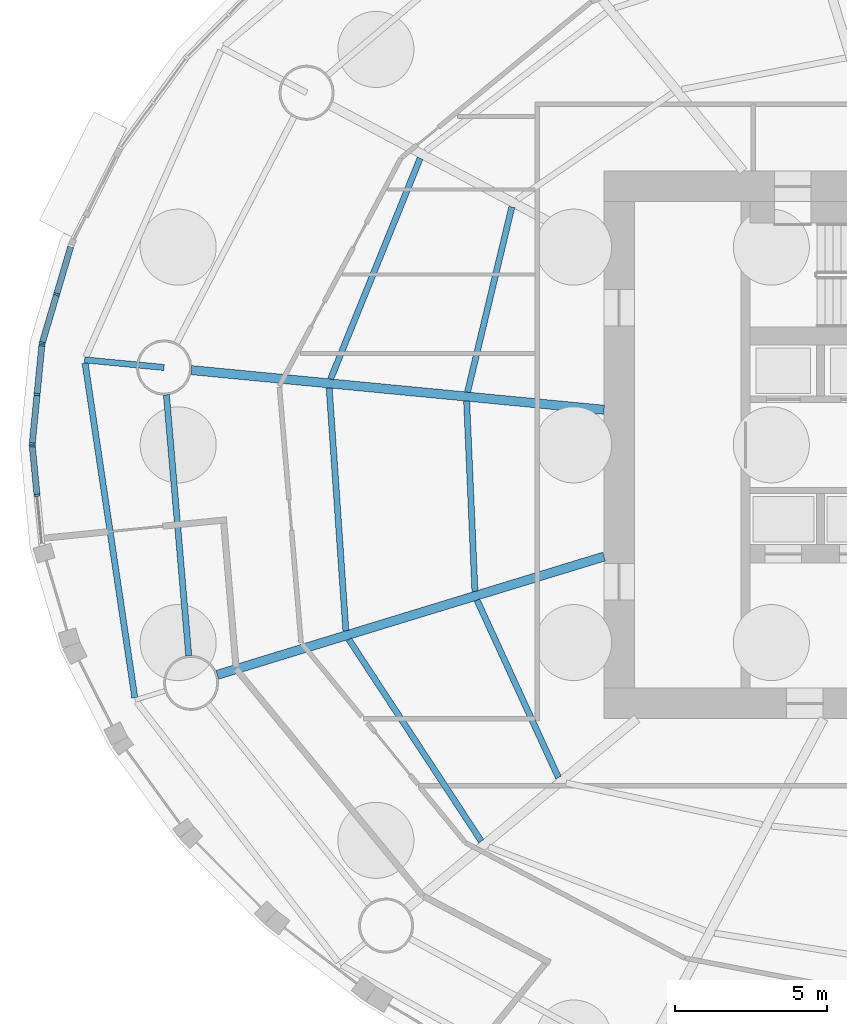
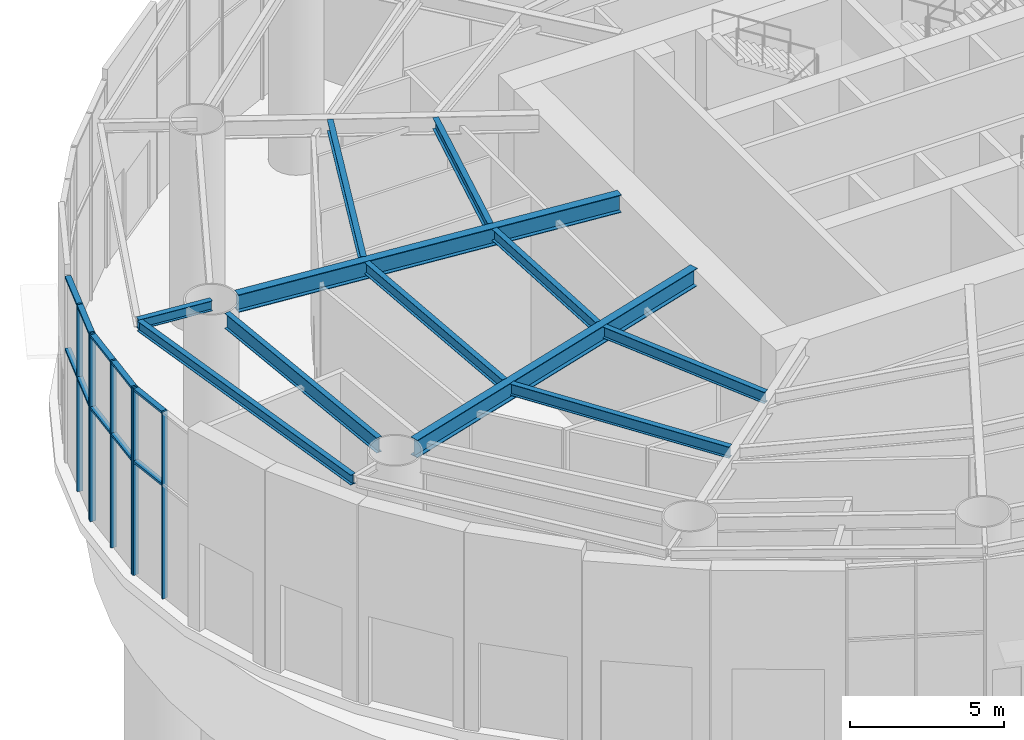
# One storey, part 6 of 27: 17 members, 11 beams, 3 elements without a shape of their own.
"""IFC4 building model written with IfcOpenShell, lengths in metres."""

from ifc_helpers import new_model, si_unit, direction, frame, origin, origin_2d, place, context, subcontext, project, spatial, rectangle, i_section, extrude, material, material_profile, profile_set, type_object, element, aggregate, save


model = new_model("IFC4")

# Units and contexts
model_context = context("Model", 3, precision=1e-05, world=origin(), true_north=direction((0.0, 1.0)))
body_context = subcontext(model_context, "Body", "Model", "MODEL_VIEW")
ifc_project = project(units=[si_unit("LENGTHUNIT", "METRE"), si_unit("AREAUNIT", "SQUARE_METRE"), si_unit("VOLUMEUNIT", "CUBIC_METRE"), si_unit("PLANEANGLEUNIT", "RADIAN"), si_unit("MASSUNIT", "GRAM", prefix="KILO")], contexts=[model_context])

# Site, building, storey
site_placement = place(None, origin())
site = spatial("IfcSite", under=ifc_project, at=site_placement, CompositionType="ELEMENT")
building_placement = place(site_placement, origin())
building = spatial("IfcBuilding", under=site, at=building_placement, Name="Vermilion Reach Broadcast Tower", CompositionType="ELEMENT")
storey_placement = place(building_placement, origin())
storey = spatial("IfcBuildingStorey", under=building, at=storey_placement, Name="L00", CompositionType="ELEMENT", Elevation=0.0)

# Beams
ifc_material_1 = material(Name="Steel S355J2", Category="steel")
ifc_material_profile_1 = material_profile(ifc_material_1, i_section(OverallWidth=0.199951171875, OverallDepth=0.39990234375, WebThickness=0.008056640625, FlangeThickness=0.012939453125, at=origin_2d()), Name="S355J2 HN 400x200x8x13")
ifc_profile_set_1 = profile_set([ifc_material_profile_1], Name="Steel S355J2")
beam_type_1 = type_object("IfcBeamType", Name="EB1 HN 400x200x8x13", PredefinedType="BEAM", material=ifc_profile_set_1)
beam_1_placement = place(storey_placement, frame((-35.061279296875, 2.692626953125, 7.60009765625), z_axis=(0.147029010253, -0.98913218032, 0.0), x_axis=(0.98913218032, 0.147029010253, 0.0)))
element("IfcBeam", 1, at=beam_1_placement, inside=storey, type_object=beam_type_1, Name="Edge beam EB1-08", PredefinedType="BEAM", context=body_context, shape_type="SweptSolid", body=[
    extrude(i_section(OverallWidth=0.199951171875, OverallDepth=0.39990234375, WebThickness=0.008056640625, FlangeThickness=0.012939453125, at=origin_2d()), origin(), (0.0, 0.0, 1.0), 11.125244140625),
])
ifc_material_2 = material(Name="Steel S355J2", Category="steel")
ifc_material_profile_2 = material_profile(ifc_material_2, i_section(OverallWidth=0.300048828125, OverallDepth=0.699951171875, WebThickness=0.012939453125, FlangeThickness=0.02392578125, at=origin_2d()), Name="S355J2 HN 700x300x13x24")
ifc_profile_set_2 = profile_set([ifc_material_profile_2], Name="Steel S355J2")
beam_type_2 = type_object("IfcBeamType", Name="G1 HN 700x300x13x24", PredefinedType="BEAM", material=ifc_profile_set_2)
beam_2_placement = place(storey_placement, frame((-18.0, 1.1533203125, 7.449951171875), z_axis=(-0.995412178872, 0.095679643363, 0.0), x_axis=(-0.095679643363, -0.995412178872, 0.0)))
element("IfcBeam", 2, at=beam_2_placement, inside=storey, type_object=beam_type_2, Name="Girder G1-08", PredefinedType="BEAM", context=body_context, shape_type="SweptSolid", body=[
    extrude(i_section(OverallWidth=0.300048828125, OverallDepth=0.699951171875, WebThickness=0.012939453125, FlangeThickness=0.02392578125, at=origin_2d()), origin(), (0.0, 0.0, 1.0), 13.630859375),
])
beam_3_placement = place(storey_placement, frame((-18.0, -3.671142578125, 7.449951171875), z_axis=(-0.956255735186, -0.292531996409, 0.0), x_axis=(0.292531996409, -0.956255735186, 0.0)))
element("IfcBeam", 3, at=beam_3_placement, inside=storey, type_object=beam_type_2, Name="Girder G1-09", PredefinedType="BEAM", context=body_context, shape_type="SweptSolid", body=[
    extrude(i_section(OverallWidth=0.300048828125, OverallDepth=0.699951171875, WebThickness=0.012939453125, FlangeThickness=0.02392578125, at=origin_2d()), origin(), (0.0, 0.0, 1.0), 13.29638671875),
])
ifc_material_3 = material(Name="Steel S355J2", Category="steel")
ifc_material_profile_3 = material_profile(ifc_material_3, i_section(OverallWidth=0.199951171875, OverallDepth=0.39990234375, WebThickness=0.008056640625, FlangeThickness=0.012939453125, at=origin_2d()), Name="S355J2 HN 400x200x8x13")
ifc_profile_set_3 = profile_set([ifc_material_profile_3], Name="Steel S355J2")
beam_type_3 = type_object("IfcBeamType", Name="GC1 HN 400x200x8x13", PredefinedType="BEAM", material=ifc_profile_set_3)
beam_4_placement = place(storey_placement, frame((-32.464111328125, 2.54345703125, 7.60009765625), z_axis=(-0.995407665441, 0.095726587639, 0.0), x_axis=(-0.095726587639, -0.995407665441, 0.0)))
element("IfcBeam", 4, at=beam_4_placement, inside=storey, type_object=beam_type_3, Name="Cantilever girder GC1-08", PredefinedType="BEAM", context=body_context, shape_type="SweptSolid", body=[
    extrude(i_section(OverallWidth=0.199951171875, OverallDepth=0.39990234375, WebThickness=0.008056640625, FlangeThickness=0.012939453125, at=origin_2d()), origin(), (0.0, 0.0, 1.0), 2.624267578125),
])
ifc_material_4 = material(Name="Steel S355J2", Category="steel")
ifc_material_profile_4 = material_profile(ifc_material_4, i_section(OverallWidth=0.199951171875, OverallDepth=0.60009765625, WebThickness=0.010986328125, FlangeThickness=0.01708984375, at=origin_2d()), Name="S355J2 HN 600x200x11x17")
ifc_profile_set_4 = profile_set([ifc_material_profile_4], Name="Steel S355J2")
beam_type_4 = type_object("IfcBeamType", Name="RB1 HN 600x200x11x17", PredefinedType="BEAM", material=ifc_profile_set_4)
beam_5_placement = place(storey_placement, frame((-32.38720703125, 1.646728515625, 7.5), z_axis=(0.085395508608, -0.996347131832, 0.0), x_axis=(0.996347131832, 0.085395508608, 0.0)))
element("IfcBeam", 5, at=beam_5_placement, inside=storey, type_object=beam_type_4, Name="Ring beam RB1-08", PredefinedType="BEAM", context=body_context, shape_type="SweptSolid", body=[
    extrude(i_section(OverallWidth=0.199951171875, OverallDepth=0.60009765625, WebThickness=0.010986328125, FlangeThickness=0.01708984375, at=origin_2d()), origin(), (0.0, 0.0, 1.0), 8.60546875),
])
ifc_material_5 = material(Name="Steel S355J2", Category="steel")
ifc_material_profile_5 = material_profile(ifc_material_5, i_section(OverallWidth=0.199951171875, OverallDepth=0.449951171875, WebThickness=0.009033203125, FlangeThickness=0.013916015625, at=origin_2d()), Name="S355J2 HN 450x200x9x14")
ifc_profile_set_5 = profile_set([ifc_material_profile_5], Name="Steel S355J2")
beam_type_5 = type_object("IfcBeamType", Name="SB1 HN 450x200x9x14", PredefinedType="BEAM", material=ifc_profile_set_5)
beam_6_placement = place(storey_placement, frame((-21.031005859375, 7.81884765625, 7.574951171875), z_axis=(-0.232844467589, -0.972513986487, 0.0), x_axis=(0.972513986487, -0.232844467589, 0.0)))
element("IfcBeam", 6, at=beam_6_placement, inside=storey, type_object=beam_type_5, Name="Secondary beam SB1-07-1", PredefinedType="BEAM", context=body_context, shape_type="SweptSolid", body=[
    extrude(i_section(OverallWidth=0.199951171875, OverallDepth=0.449951171875, WebThickness=0.009033203125, FlangeThickness=0.013916015625, at=origin_2d()), origin(), (0.0, 0.0, 1.0), 6.25537109375),
])
beam_7_placement = place(storey_placement, frame((-24.046630859375, 9.421630859375, 7.574951171875), z_axis=(-0.375640669938, -0.926765389453, 0.0), x_axis=(0.926765389453, -0.375640669938, 0.0)))
element("IfcBeam", 7, at=beam_7_placement, inside=storey, type_object=beam_type_5, Name="Secondary beam SB1-07-2", PredefinedType="BEAM", context=body_context, shape_type="SweptSolid", body=[
    extrude(i_section(OverallWidth=0.199951171875, OverallDepth=0.449951171875, WebThickness=0.009033203125, FlangeThickness=0.013916015625, at=origin_2d()), origin(), (0.0, 0.0, 1.0), 7.8271484375),
])
beam_8_placement = place(storey_placement, frame((-22.51611328125, 1.436767578125, 7.574951171875), z_axis=(0.043361007512, -0.999059469215, 0.0), x_axis=(0.999059469215, 0.043361007512, 0.0)))
element("IfcBeam", 8, at=beam_8_placement, inside=storey, type_object=beam_type_5, Name="Secondary beam SB1-08-1", PredefinedType="BEAM", context=body_context, shape_type="SweptSolid", body=[
    extrude(i_section(OverallWidth=0.199951171875, OverallDepth=0.449951171875, WebThickness=0.009033203125, FlangeThickness=0.013916015625, at=origin_2d()), origin(), (0.0, 0.0, 1.0), 6.25537109375),
])
beam_9_placement = place(storey_placement, frame((-27.03515625, 1.87109375, 7.574951171875), z_axis=(0.068507801475, -0.997650580683, 0.0), x_axis=(0.997650580683, 0.068507801475, 0.0)))
element("IfcBeam", 9, at=beam_9_placement, inside=storey, type_object=beam_type_5, Name="Secondary beam SB1-08-2", PredefinedType="BEAM", context=body_context, shape_type="SweptSolid", body=[
    extrude(i_section(OverallWidth=0.199951171875, OverallDepth=0.449951171875, WebThickness=0.009033203125, FlangeThickness=0.013916015625, at=origin_2d()), origin(), (0.0, 0.0, 1.0), 8.00048828125),
])
beam_10_placement = place(storey_placement, frame((-22.175048828125, -5.105224609375, 7.574951171875), z_axis=(0.417211452529, -0.908809443106, 0.0), x_axis=(0.908809443106, 0.417211452529, 0.0)))
element("IfcBeam", 10, at=beam_10_placement, inside=storey, type_object=beam_type_5, Name="Secondary beam SB1-09-1", PredefinedType="BEAM", context=body_context, shape_type="SweptSolid", body=[
    extrude(i_section(OverallWidth=0.199951171875, OverallDepth=0.449951171875, WebThickness=0.009033203125, FlangeThickness=0.013916015625, at=origin_2d()), origin(), (0.0, 0.0, 1.0), 6.41650390625),
])
beam_11_placement = place(storey_placement, frame((-26.390625, -6.394775390625, 7.574951171875), z_axis=(0.548800909102, -0.835953086105, 0.0), x_axis=(0.835953086105, 0.548800909102, 0.0)))
element("IfcBeam", 11, at=beam_11_placement, inside=storey, type_object=beam_type_5, Name="Secondary beam SB1-09-2", PredefinedType="BEAM", context=body_context, shape_type="SweptSolid", body=[
    extrude(i_section(OverallWidth=0.199951171875, OverallDepth=0.449951171875, WebThickness=0.009033203125, FlangeThickness=0.013916015625, at=origin_2d()), origin(), (0.0, 0.0, 1.0), 7.935791015625),
])

# Curtain wall, members
ifc_material_6 = material(Name="Low-e laminated clear glass in aluminium frame", Category="aluminium")
curtain_wall_type = type_object("IfcCurtainWallType", Name="Street frontage curtain wall", PredefinedType="NOTDEFINED", material=ifc_material_6)
placement = place(storey_placement, origin())
curtain_wall_1 = element("IfcCurtainWall", 12, at=placement, inside=storey, type_object=curtain_wall_type, Name="Street frontage L00 01", PredefinedType="NOTDEFINED")
ifc_material_7 = material(Name="Anodised aluminium", Category="aluminium")
ifc_material_profile_6 = material_profile(ifc_material_7, rectangle(XDim=0.199951171875, YDim=0.070068359375, at=origin_2d()), Name="Street frontage mullion 70 x 200")
ifc_profile_set_6 = profile_set([ifc_material_profile_6], Name="Anodised aluminium")
member_type_1 = type_object("IfcMemberType", Name="Street frontage mullion 70 x 200", PredefinedType="MULLION", material=ifc_profile_set_6)
member_1_placement = place(storey_placement, frame((-35.9951171875, 4.94921875, 0.0), z_axis=(0.0, 0.0, 1.0), x_axis=(0.959047559317, -0.283245086397, 0.0)))
member_1 = element("IfcMember", 13, at=member_1_placement, type_object=member_type_1, Name="Street frontage mullion L00 01.2", PredefinedType="MULLION", context=body_context, shape_type="SweptSolid", body=[
    extrude(rectangle(XDim=0.199951171875, YDim=0.070068359375, at=origin_2d()), origin(), (0.0, 0.0, 1.0), 7.39990234375),
])
member_2_placement = place(storey_placement, frame((-36.46728515625, 3.3505859375, 0.0), z_axis=(0.0, 0.0, 1.0), x_axis=(0.959047559317, -0.283245086397, 0.0)))
member_2 = element("IfcMember", 14, at=member_2_placement, type_object=member_type_1, Name="Street frontage mullion L00 01.3", PredefinedType="MULLION", context=body_context, shape_type="SweptSolid", body=[
    extrude(rectangle(XDim=0.199951171875, YDim=0.070068359375, at=origin_2d()), origin(), (0.0, 0.0, 1.0), 7.39990234375),
])

curtain_wall_2 = element("IfcCurtainWall", 15, at=placement, inside=storey, type_object=curtain_wall_type, Name="Street frontage L00 02", PredefinedType="NOTDEFINED")
member_3_placement = place(storey_placement, frame((-36.48046875, 3.2822265625, 0.0), z_axis=(0.0, 0.0, 1.0), x_axis=(0.995297951094, -0.096860665643, 0.0)))
member_3 = element("IfcMember", 16, at=member_3_placement, type_object=member_type_1, Name="Street frontage mullion L00 02.1", PredefinedType="MULLION", context=body_context, shape_type="SweptSolid", body=[
    extrude(rectangle(XDim=0.199951171875, YDim=0.070068359375, at=origin_2d()), origin(), (0.0, 0.0, 1.0), 7.39990234375),
])
member_4_placement = place(storey_placement, frame((-36.638671875, 1.658447265625, 0.0), z_axis=(0.0, 0.0, 1.0), x_axis=(0.995297951094, -0.096860665643, 0.0)))
member_4 = element("IfcMember", 17, at=member_4_placement, type_object=member_type_1, Name="Street frontage mullion L00 02.2", PredefinedType="MULLION", context=body_context, shape_type="SweptSolid", body=[
    extrude(rectangle(XDim=0.199951171875, YDim=0.070068359375, at=origin_2d()), origin(), (0.0, 0.0, 1.0), 7.39990234375),
])
member_5_placement = place(storey_placement, frame((-36.796630859375, 0.034912109375, 0.0), z_axis=(0.0, 0.0, 1.0), x_axis=(0.995297951094, -0.096860665643, 0.0)))
member_5 = element("IfcMember", 18, at=member_5_placement, type_object=member_type_1, Name="Street frontage mullion L00 02.3", PredefinedType="MULLION", context=body_context, shape_type="SweptSolid", body=[
    extrude(rectangle(XDim=0.199951171875, YDim=0.070068359375, at=origin_2d()), origin(), (0.0, 0.0, 1.0), 7.39990234375),
])

curtain_wall_3 = element("IfcCurtainWall", 19, at=placement, inside=storey, type_object=curtain_wall_type, Name="Street frontage L00 03", PredefinedType="NOTDEFINED")
member_6_placement = place(storey_placement, frame((-36.796630859375, -0.034912109375, 0.0), z_axis=(0.0, 0.0, 1.0), x_axis=(0.995297951094, 0.096860665643, 0.0)))
member_6 = element("IfcMember", 20, at=member_6_placement, type_object=member_type_1, Name="Street frontage mullion L00 03.1", PredefinedType="MULLION", context=body_context, shape_type="SweptSolid", body=[
    extrude(rectangle(XDim=0.199951171875, YDim=0.070068359375, at=origin_2d()), origin(), (0.0, 0.0, 1.0), 7.39990234375),
])
member_7_placement = place(storey_placement, frame((-36.638671875, -1.658447265625, 0.0), z_axis=(0.0, 0.0, 1.0), x_axis=(0.995297951094, 0.096860665643, 0.0)))
member_7 = element("IfcMember", 21, at=member_7_placement, type_object=member_type_1, Name="Street frontage mullion L00 03.2", PredefinedType="MULLION", context=body_context, shape_type="SweptSolid", body=[
    extrude(rectangle(XDim=0.199951171875, YDim=0.070068359375, at=origin_2d()), origin(), (0.0, 0.0, 1.0), 7.39990234375),
])

# Member
ifc_material_8 = material(Name="Anodised aluminium", Category="aluminium")
ifc_material_profile_7 = material_profile(ifc_material_8, rectangle(XDim=0.199951171875, YDim=0.090087890625, at=origin_2d()), Name="Street frontage transom 200 x 90")
ifc_profile_set_7 = profile_set([ifc_material_profile_7], Name="Anodised aluminium")
member_type_2 = type_object("IfcMemberType", Name="Street frontage transom 200 x 90", PredefinedType="USERDEFINED", material=ifc_profile_set_7)
member_8_placement = place(storey_placement, frame((-35.532958984375, 6.514404296875, 4.5), z_axis=(-0.28310967875, -0.959087540216, 0.0), x_axis=(0.959087540216, -0.28310967875, 0.0)))
member_8 = element("IfcMember", 22, at=member_8_placement, type_object=member_type_2, Name="Street frontage transom L00 01.1.2", ObjectType="TRANSOM", PredefinedType="USERDEFINED", context=body_context, shape_type="SweptSolid", body=[
    extrude(rectangle(XDim=0.199951171875, YDim=0.090087890625, at=origin_2d()), origin(), (0.0, 0.0, 1.0), 1.59716796875),
])

member_9_placement = place(storey_placement, frame((-35.532958984375, 6.514404296875, 7.35498046875), z_axis=(-0.28310967875, -0.959087540216, 0.0), x_axis=(0.959087540216, -0.28310967875, 0.0)))
member_9 = element("IfcMember", 23, at=member_9_placement, type_object=member_type_2, Name="Street frontage transom L00 01.1.3", ObjectType="TRANSOM", PredefinedType="USERDEFINED", context=body_context, shape_type="SweptSolid", body=[
    extrude(rectangle(XDim=0.199951171875, YDim=0.090087890625, at=origin_2d()), origin(), (0.0, 0.0, 1.0), 1.59716796875),
])

member_10_placement = place(storey_placement, frame((-36.005126953125, 4.91552734375, 4.5), z_axis=(-0.283151192083, -0.959075285065, 0.0), x_axis=(0.959075285065, -0.283151192083, 0.0)))
member_10 = element("IfcMember", 24, at=member_10_placement, type_object=member_type_2, Name="Street frontage transom L00 01.2.2", ObjectType="TRANSOM", PredefinedType="USERDEFINED", context=body_context, shape_type="SweptSolid", body=[
    extrude(rectangle(XDim=0.199951171875, YDim=0.090087890625, at=origin_2d()), origin(), (0.0, 0.0, 1.0), 1.596923828125),
])

member_11_placement = place(storey_placement, frame((-36.005126953125, 4.91552734375, 7.35498046875), z_axis=(-0.283151192083, -0.959075285065, 0.0), x_axis=(0.959075285065, -0.283151192083, 0.0)))
member_11 = element("IfcMember", 25, at=member_11_placement, type_object=member_type_2, Name="Street frontage transom L00 01.2.3", ObjectType="TRANSOM", PredefinedType="USERDEFINED", context=body_context, shape_type="SweptSolid", body=[
    extrude(rectangle(XDim=0.199951171875, YDim=0.090087890625, at=origin_2d()), origin(), (0.0, 0.0, 1.0), 1.596923828125),
])

aggregate(curtain_wall_1, [member_1, member_2, member_8, member_9, member_10, member_11])

member_12_placement = place(storey_placement, frame((-36.48388671875, 3.247314453125, 4.5), z_axis=(-0.096948846292, -0.995289365563, 0.0), x_axis=(0.995289365563, -0.096948846292, 0.0)))
member_12 = element("IfcMember", 26, at=member_12_placement, type_object=member_type_2, Name="Street frontage transom L00 02.1.2", ObjectType="TRANSOM", PredefinedType="USERDEFINED", context=body_context, shape_type="SweptSolid", body=[
    extrude(rectangle(XDim=0.199951171875, YDim=0.090087890625, at=origin_2d()), origin(), (0.0, 0.0, 1.0), 1.561279296875),
])

member_13_placement = place(storey_placement, frame((-36.48388671875, 3.247314453125, 7.35498046875), z_axis=(-0.096948846292, -0.995289365563, 0.0), x_axis=(0.995289365563, -0.096948846292, 0.0)))
member_13 = element("IfcMember", 27, at=member_13_placement, type_object=member_type_2, Name="Street frontage transom L00 02.1.3", ObjectType="TRANSOM", PredefinedType="USERDEFINED", context=body_context, shape_type="SweptSolid", body=[
    extrude(rectangle(XDim=0.199951171875, YDim=0.090087890625, at=origin_2d()), origin(), (0.0, 0.0, 1.0), 1.561279296875),
])

member_14_placement = place(storey_placement, frame((-36.64208984375, 1.62353515625, 4.5), z_axis=(-0.09679394339, -0.99530444213, 0.0), x_axis=(0.99530444213, -0.09679394339, 0.0)))
member_14 = element("IfcMember", 28, at=member_14_placement, type_object=member_type_2, Name="Street frontage transom L00 02.2.2", ObjectType="TRANSOM", PredefinedType="USERDEFINED", context=body_context, shape_type="SweptSolid", body=[
    extrude(rectangle(XDim=0.199951171875, YDim=0.090087890625, at=origin_2d()), origin(), (0.0, 0.0, 1.0), 1.561279296875),
])

member_15_placement = place(storey_placement, frame((-36.64208984375, 1.62353515625, 7.35498046875), z_axis=(-0.09679394339, -0.99530444213, 0.0), x_axis=(0.99530444213, -0.09679394339, 0.0)))
member_15 = element("IfcMember", 29, at=member_15_placement, type_object=member_type_2, Name="Street frontage transom L00 02.2.3", ObjectType="TRANSOM", PredefinedType="USERDEFINED", context=body_context, shape_type="SweptSolid", body=[
    extrude(rectangle(XDim=0.199951171875, YDim=0.090087890625, at=origin_2d()), origin(), (0.0, 0.0, 1.0), 1.561279296875),
])

aggregate(curtain_wall_2, [member_3, member_4, member_5, member_12, member_13, member_14, member_15])

member_16_placement = place(storey_placement, frame((-36.793212890625, -0.069580078125, 4.5), z_axis=(0.09679394339, -0.99530444213, 0.0), x_axis=(0.99530444213, 0.09679394339, 0.0)))
member_16 = element("IfcMember", 30, at=member_16_placement, type_object=member_type_2, Name="Street frontage transom L00 03.1.2", ObjectType="TRANSOM", PredefinedType="USERDEFINED", context=body_context, shape_type="SweptSolid", body=[
    extrude(rectangle(XDim=0.199951171875, YDim=0.090087890625, at=origin_2d()), origin(), (0.0, 0.0, 1.0), 1.561279296875),
])

member_17_placement = place(storey_placement, frame((-36.793212890625, -0.069580078125, 7.35498046875), z_axis=(0.09679394339, -0.99530444213, 0.0), x_axis=(0.99530444213, 0.09679394339, 0.0)))
member_17 = element("IfcMember", 31, at=member_17_placement, type_object=member_type_2, Name="Street frontage transom L00 03.1.3", ObjectType="TRANSOM", PredefinedType="USERDEFINED", context=body_context, shape_type="SweptSolid", body=[
    extrude(rectangle(XDim=0.199951171875, YDim=0.090087890625, at=origin_2d()), origin(), (0.0, 0.0, 1.0), 1.561279296875),
])

aggregate(curtain_wall_3, [member_6, member_7, member_16, member_17])

save(model, "model.ifc")
